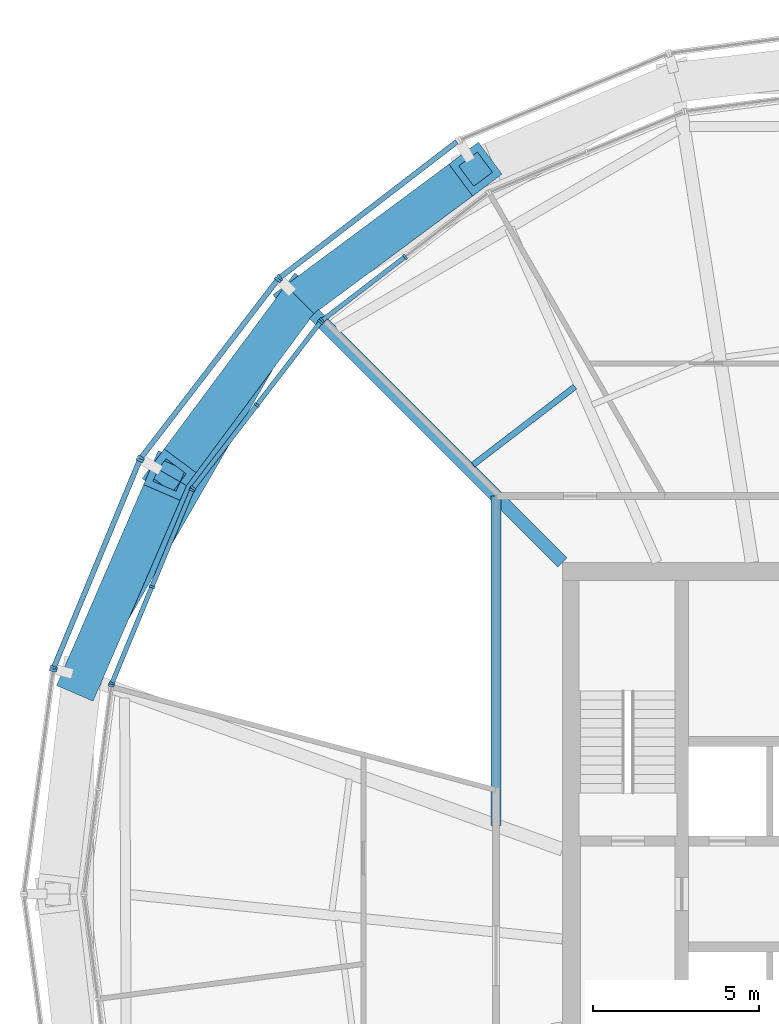
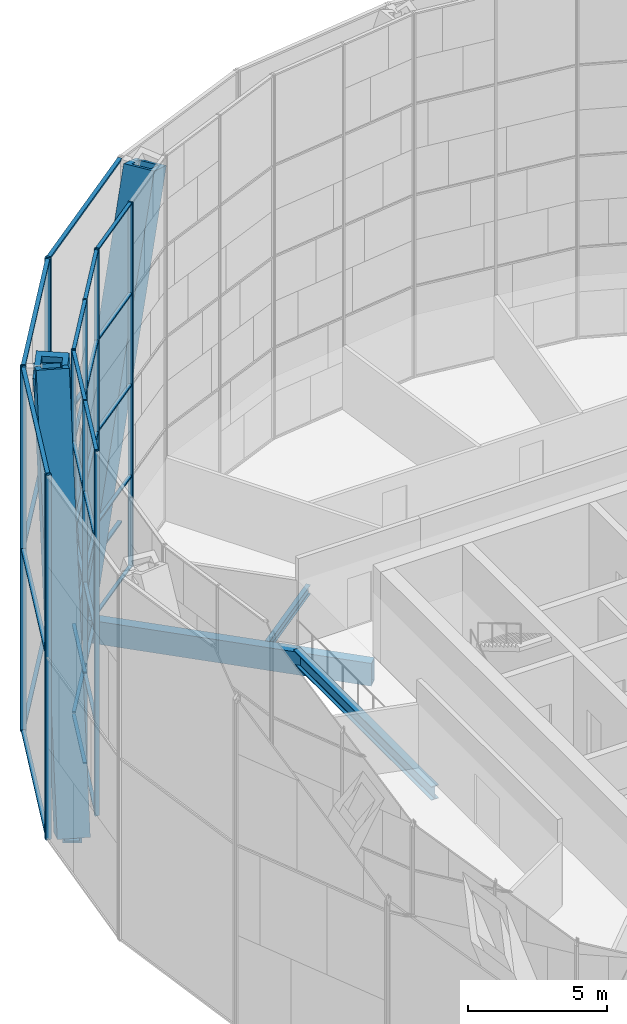
# One storey, part 8 of 28: 52 members, 4 beams, 8 elements without a shape of their own.
"""IFC4 building model written with IfcOpenShell, lengths in metres."""

from ifc_helpers import new_model, si_unit, direction, frame, origin, origin_2d, place, context, subcontext, project, spatial, rectangle, hollow_rectangle, i_section, extrude, material, material_profile, profile_set, type_object, element, aggregate, save


model = new_model("IFC4")

# Units and contexts
model_context = context("Model", 3, precision=1e-05, world=origin(), true_north=direction((0.0, 1.0)))
body_context = subcontext(model_context, "Body", "Model", "MODEL_VIEW")
ifc_project = project(units=[si_unit("LENGTHUNIT", "METRE"), si_unit("AREAUNIT", "SQUARE_METRE"), si_unit("VOLUMEUNIT", "CUBIC_METRE"), si_unit("PLANEANGLEUNIT", "RADIAN"), si_unit("MASSUNIT", "GRAM", prefix="KILO")], contexts=[model_context])

# Site, building, storey
site_placement = place(None, origin())
site = spatial("IfcSite", under=ifc_project, at=site_placement, CompositionType="ELEMENT")
building_placement = place(site_placement, origin())
building = spatial("IfcBuilding", under=site, at=building_placement, Name="Golbaran Civic Tower", CompositionType="ELEMENT")
storey_placement = place(building_placement, frame((0.0, 0.0, 134.0)))
storey = spatial("IfcBuildingStorey", under=building, at=storey_placement, Name="L32", CompositionType="ELEMENT", Elevation=134.0)

# Members
ifc_material_1 = material(Name="Steel S355", Category="steel")
ifc_material_profile_1 = material_profile(ifc_material_1, hollow_rectangle(XDim=1.199951171875, YDim=1.199951171875, WallThickness=0.219970703125, at=origin_2d()), Name="BOX 1200x1200x220")
ifc_profile_set_1 = profile_set([ifc_material_profile_1], Name="Steel S355")
member_type_1 = type_object("IfcMemberType", Name="DIAGRID DIAGONAL BOX 1200x1200x220", PredefinedType="BRACE", material=ifc_profile_set_1)
for number, where, z_axis, x_axis, name in (
    (1, (-17.91796875, 17.91796875, -0.7099609375), (-0.227361182302, -0.306265484914, 0.924396205927), (0.802932458843, -0.59607001815, 0.0), "Diagonal D07-04R L32-L36"),
    (2, (-17.91796875, 17.91796875, -0.7099609375), (0.306265484914, 0.227361182302, 0.924396205927), (-0.59607001815, 0.802932458843, 0.0), "Diagonal D07-04L L32-L36"),
    (3, (-24.4765625, 6.55859375, -0.7099609375), (0.151560578437, 0.350021010135, 0.924399634102), (-0.917665769882, 0.397353161289, 0.0), "Diagonal D07-05L L32-L36"),
):
    element("IfcMember", number, at=place(storey_placement, frame(where, z_axis=z_axis, x_axis=x_axis)), inside=storey, type_object=member_type_1, Name=name, PredefinedType="BRACE", context=body_context, shape_type="SweptSolid", body=[
        extrude(hollow_rectangle(XDim=1.199951171875, YDim=1.199951171875, WallThickness=0.219970703125, at=origin_2d()), origin(), (0.0, 0.0, 1.0), 17.30859375),
    ])

# Beams
ifc_material_profile_2 = material_profile(ifc_material_1, hollow_rectangle(XDim=0.699951171875, YDim=0.699951171875, WallThickness=0.080078125, at=origin_2d()), Name="BOX 700x700x80")
ifc_profile_set_2 = profile_set([ifc_material_profile_2], Name="Steel S355")
beam_type_1 = type_object("IfcBeamType", Name="DIAGRID RING TIE BOX 700x700x80", PredefinedType="BEAM", material=ifc_profile_set_2)
beam_1_placement = place(storey_placement, frame((-17.91796875, 17.91796875, -0.7099609375), z_axis=(-0.500014611105, -0.866016967894, 0.0), x_axis=(0.866016967894, -0.500014611105, 0.0)))
element("IfcBeam", 4, at=beam_1_placement, inside=storey, type_object=beam_type_1, Name="Ring tie 135.00 L32", PredefinedType="BEAM", context=body_context, shape_type="SweptSolid", body=[
    extrude(hollow_rectangle(XDim=0.699951171875, YDim=0.699951171875, WallThickness=0.080078125, at=origin_2d()), origin(), (0.0, 0.0, 1.0), 13.11669921875),
])
ifc_material_profile_3 = material_profile(ifc_material_1, i_section(OverallWidth=0.179931640625, OverallDepth=0.39990234375, WebThickness=0.008544921875, FlangeThickness=0.013427734375, FilletRadius=0.02099609375, at=origin_2d()), Name="IPE 400")
ifc_profile_set_3 = profile_set([ifc_material_profile_3], Name="Steel S355")
beam_type_2 = type_object("IfcBeamType", Name="FLOOR INFILL BEAM IPE 400", PredefinedType="BEAM", material=ifc_profile_set_3)
beam_2_placement = place(storey_placement, frame((-9.622314453125, 15.294189453125, -0.39990234375), z_axis=(-0.793370357991, -0.608739250469, 0.0), x_axis=(0.608739250469, -0.793370357991, 0.0)))
element("IfcBeam", 5, at=beam_2_placement, inside=storey, type_object=beam_type_2, Name="Infill beam 127.50 L32", PredefinedType="BEAM", context=body_context, shape_type="SweptSolid", body=[
    extrude(i_section(OverallWidth=0.179931640625, OverallDepth=0.39990234375, WebThickness=0.008544921875, FlangeThickness=0.013427734375, FilletRadius=0.02099609375, at=origin_2d()), origin(), (0.0, 0.0, 1.0), 3.86376953125),
])
ifc_material_profile_4 = material_profile(ifc_material_1, i_section(OverallWidth=0.300048828125, OverallDepth=0.60009765625, WebThickness=0.015380859375, FlangeThickness=0.030029296875, FilletRadius=0.027099609375, at=origin_2d()), Name="HEB 600")
ifc_profile_set_4 = profile_set([ifc_material_profile_4], Name="Steel S355")
beam_type_3 = type_object("IfcBeamType", Name="GARDEN CHORD TRIMMER HEB 600", PredefinedType="BEAM", material=ifc_profile_set_4)
beam_3_placement = place(storey_placement, frame((-12.0, 12.0, -0.5), z_axis=(0.0, -1.0, 0.0), x_axis=(1.0, 0.0, 0.0)))
element("IfcBeam", 6, at=beam_3_placement, inside=storey, type_object=beam_type_3, Name="Garden void trimmer L32", PredefinedType="BEAM", context=body_context, shape_type="SweptSolid", body=[
    extrude(i_section(OverallWidth=0.300048828125, OverallDepth=0.60009765625, WebThickness=0.015380859375, FlangeThickness=0.030029296875, FilletRadius=0.027099609375, at=origin_2d()), origin(), (0.0, 0.0, 1.0), 9.930419921875),
])

# Curtain wall, members
ifc_material_2 = material(Name="Aluminium and glass", Category="aluminium")
curtain_wall_type_1 = type_object("IfcCurtainWallType", Name="INNER SKIN CURTAIN WALL", PredefinedType="NOTDEFINED", material=ifc_material_2)
curtain_wall_1_placement = place(storey_placement, origin())
curtain_wall_1 = element("IfcCurtainWall", 7, at=curtain_wall_1_placement, inside=storey, type_object=curtain_wall_type_1, Name="Inner skin L32 facet 9 CW1", ObjectType="INNER SKIN", PredefinedType="USERDEFINED")
ifc_material_3 = material(Name="Aluminium", Category="aluminium")
ifc_material_profile_5 = material_profile(ifc_material_3, rectangle(XDim=0.179931640625, YDim=0.06494140625, at=origin_2d()), Name="INNER SKIN CURTAIN WALL MULLION")
ifc_profile_set_5 = profile_set([ifc_material_profile_5], Name="Aluminium")
member_type_2 = type_object("IfcMemberType", Name="INNER SKIN CURTAIN WALL MULLION", PredefinedType="MULLION", material=ifc_profile_set_5)
member_1_placement = place(storey_placement, frame((-14.74169921875, 19.2119140625, 0.0), z_axis=(0.0, 0.0, 1.0), x_axis=(0.60876142905, -0.793353340259, 0.0)))
member_1 = element("IfcMember", 8, at=member_1_placement, type_object=member_type_2, Name="CW1 mullion 2", PredefinedType="MULLION", context=body_context, shape_type="SweptSolid", body=[
    extrude(rectangle(XDim=0.179931640625, YDim=0.06494140625, at=origin_2d()), origin(), (0.0, 0.0, 1.0), 16.0),
])
member_2_placement = place(storey_placement, frame((-17.245361328125, 17.290771484375, 0.0), z_axis=(0.0, 0.0, 1.0), x_axis=(0.60876142905, -0.793353340259, 0.0)))
member_2 = element("IfcMember", 9, at=member_2_placement, type_object=member_type_2, Name="CW1 mullion 3", PredefinedType="MULLION", context=body_context, shape_type="SweptSolid", body=[
    extrude(rectangle(XDim=0.179931640625, YDim=0.06494140625, at=origin_2d()), origin(), (0.0, 0.0, 1.0), 16.0),
])

curtain_wall_2_placement = place(storey_placement, origin())
curtain_wall_2 = element("IfcCurtainWall", 10, at=curtain_wall_2_placement, inside=storey, type_object=curtain_wall_type_1, Name="Inner skin L32 facet 10 CW1", ObjectType="INNER SKIN", PredefinedType="USERDEFINED")
member_3_placement = place(storey_placement, frame((-17.290771484375, 17.245361328125, 0.0), z_axis=(0.0, 0.0, 1.0), x_axis=(0.793353340259, -0.60876142905, 0.0)))
member_3 = element("IfcMember", 11, at=member_3_placement, type_object=member_type_2, Name="CW1 mullion 1", PredefinedType="MULLION", context=body_context, shape_type="SweptSolid", body=[
    extrude(rectangle(XDim=0.179931640625, YDim=0.06494140625, at=origin_2d()), origin(), (0.0, 0.0, 1.0), 16.0),
])
member_4_placement = place(storey_placement, frame((-19.2119140625, 14.74169921875, 0.0), z_axis=(0.0, 0.0, 1.0), x_axis=(0.793353340259, -0.60876142905, 0.0)))
member_4 = element("IfcMember", 12, at=member_4_placement, type_object=member_type_2, Name="CW1 mullion 2", PredefinedType="MULLION", context=body_context, shape_type="SweptSolid", body=[
    extrude(rectangle(XDim=0.179931640625, YDim=0.06494140625, at=origin_2d()), origin(), (0.0, 0.0, 1.0), 16.0),
])
member_5_placement = place(storey_placement, frame((-21.1328125, 12.23828125, 0.0), z_axis=(0.0, 0.0, 1.0), x_axis=(0.793353340259, -0.60876142905, 0.0)))
member_5 = element("IfcMember", 13, at=member_5_placement, type_object=member_type_2, Name="CW1 mullion 3", PredefinedType="MULLION", context=body_context, shape_type="SweptSolid", body=[
    extrude(rectangle(XDim=0.179931640625, YDim=0.06494140625, at=origin_2d()), origin(), (0.0, 0.0, 1.0), 16.0),
])

curtain_wall_3_placement = place(storey_placement, origin())
curtain_wall_3 = element("IfcCurtainWall", 14, at=curtain_wall_3_placement, inside=storey, type_object=curtain_wall_type_1, Name="Inner skin L32 facet 11 CW1", ObjectType="INNER SKIN", PredefinedType="USERDEFINED")
member_6_placement = place(storey_placement, frame((-21.1650390625, 12.182373046875, 0.0), z_axis=(0.0, 0.0, 1.0), x_axis=(0.923879532485, -0.38268343243, 0.0)))
member_6 = element("IfcMember", 15, at=member_6_placement, type_object=member_type_2, Name="CW1 mullion 1", PredefinedType="MULLION", context=body_context, shape_type="SweptSolid", body=[
    extrude(rectangle(XDim=0.179931640625, YDim=0.06494140625, at=origin_2d()), origin(), (0.0, 0.0, 1.0), 16.0),
])
member_7_placement = place(storey_placement, frame((-22.372802734375, 9.26708984375, 0.0), z_axis=(0.0, 0.0, 1.0), x_axis=(0.923879532485, -0.38268343243, 0.0)))
member_7 = element("IfcMember", 16, at=member_7_placement, type_object=member_type_2, Name="CW1 mullion 2", PredefinedType="MULLION", context=body_context, shape_type="SweptSolid", body=[
    extrude(rectangle(XDim=0.179931640625, YDim=0.06494140625, at=origin_2d()), origin(), (0.0, 0.0, 1.0), 16.0),
])
member_8_placement = place(storey_placement, frame((-23.580322265625, 6.3515625, 0.0), z_axis=(0.0, 0.0, 1.0), x_axis=(0.923879532485, -0.38268343243, 0.0)))
member_8 = element("IfcMember", 17, at=member_8_placement, type_object=member_type_2, Name="CW1 mullion 3", PredefinedType="MULLION", context=body_context, shape_type="SweptSolid", body=[
    extrude(rectangle(XDim=0.179931640625, YDim=0.06494140625, at=origin_2d()), origin(), (0.0, 0.0, 1.0), 16.0),
])

# Curtain wall, member
curtain_wall_4_placement = place(storey_placement, origin())
curtain_wall_4 = element("IfcCurtainWall", 18, at=curtain_wall_4_placement, inside=storey, type_object=curtain_wall_type_1, Name="Inner skin L32 facet 12 CW1", ObjectType="INNER SKIN", PredefinedType="USERDEFINED")
member_9_placement = place(storey_placement, frame((-23.596923828125, 6.28955078125, 0.0), z_axis=(0.0, 0.0, 1.0), x_axis=(0.991444861372, -0.130526192237, 0.0)))
member_9 = element("IfcMember", 19, at=member_9_placement, type_object=member_type_2, Name="CW1 mullion 1", PredefinedType="MULLION", context=body_context, shape_type="SweptSolid", body=[
    extrude(rectangle(XDim=0.179931640625, YDim=0.06494140625, at=origin_2d()), origin(), (0.0, 0.0, 1.0), 16.0),
])
aggregate(curtain_wall_4, [member_9])

# Member
ifc_material_profile_6 = material_profile(ifc_material_3, rectangle(XDim=0.139892578125, YDim=0.06494140625, at=origin_2d()), Name="INNER SKIN CURTAIN WALL TRANSOM")
ifc_profile_set_6 = profile_set([ifc_material_profile_6], Name="Aluminium")
member_type_3 = type_object("IfcMemberType", Name="INNER SKIN CURTAIN WALL TRANSOM", PredefinedType="USERDEFINED", material=ifc_profile_set_6)
member_10_placement = place(storey_placement, frame((-14.767578125, 19.192138671875, 0.032470703125), z_axis=(-0.793325296464, -0.608797974693, 0.0), x_axis=(0.608797974693, -0.793325296464, 0.0)))
member_10 = element("IfcMember", 20, at=member_10_placement, type_object=member_type_3, Name="CW1 transom 2.1", ObjectType="TRANSOM", PredefinedType="USERDEFINED", context=body_context, shape_type="SweptSolid", body=[
    extrude(rectangle(XDim=0.139892578125, YDim=0.06494140625, at=origin_2d()), origin(), (0.0, 0.0, 1.0), 3.090576171875),
])

member_11_placement = place(storey_placement, frame((-14.767578125, 19.192138671875, 4.0), z_axis=(-0.793325296464, -0.608797974693, 0.0), x_axis=(0.608797974693, -0.793325296464, 0.0)))
member_11 = element("IfcMember", 21, at=member_11_placement, type_object=member_type_3, Name="CW1 transom 2.2", ObjectType="TRANSOM", PredefinedType="USERDEFINED", context=body_context, shape_type="SweptSolid", body=[
    extrude(rectangle(XDim=0.139892578125, YDim=0.06494140625, at=origin_2d()), origin(), (0.0, 0.0, 1.0), 3.090576171875),
])

member_12_placement = place(storey_placement, frame((-14.767578125, 19.192138671875, 8.0), z_axis=(-0.793325296464, -0.608797974693, 0.0), x_axis=(0.608797974693, -0.793325296464, 0.0)))
member_12 = element("IfcMember", 22, at=member_12_placement, type_object=member_type_3, Name="CW1 transom 2.3", ObjectType="TRANSOM", PredefinedType="USERDEFINED", context=body_context, shape_type="SweptSolid", body=[
    extrude(rectangle(XDim=0.139892578125, YDim=0.06494140625, at=origin_2d()), origin(), (0.0, 0.0, 1.0), 3.090576171875),
])

member_13_placement = place(storey_placement, frame((-14.767578125, 19.192138671875, 12.0), z_axis=(-0.793325296464, -0.608797974693, 0.0), x_axis=(0.608797974693, -0.793325296464, 0.0)))
member_13 = element("IfcMember", 23, at=member_13_placement, type_object=member_type_3, Name="CW1 transom 2.4", ObjectType="TRANSOM", PredefinedType="USERDEFINED", context=body_context, shape_type="SweptSolid", body=[
    extrude(rectangle(XDim=0.139892578125, YDim=0.06494140625, at=origin_2d()), origin(), (0.0, 0.0, 1.0), 3.090576171875),
])

member_14_placement = place(storey_placement, frame((-14.767578125, 19.192138671875, 15.967529296875), z_axis=(-0.793325296464, -0.608797974693, 0.0), x_axis=(0.608797974693, -0.793325296464, 0.0)))
member_14 = element("IfcMember", 24, at=member_14_placement, type_object=member_type_3, Name="CW1 transom 2.5", ObjectType="TRANSOM", PredefinedType="USERDEFINED", context=body_context, shape_type="SweptSolid", body=[
    extrude(rectangle(XDim=0.139892578125, YDim=0.06494140625, at=origin_2d()), origin(), (0.0, 0.0, 1.0), 3.090576171875),
])

aggregate(curtain_wall_1, [member_1, member_2, member_10, member_11, member_12, member_13, member_14])

member_15_placement = place(storey_placement, frame((-17.310546875, 17.219482421875, 0.032470703125), z_axis=(-0.608797974693, -0.793325296464, 0.0), x_axis=(0.793325296464, -0.608797974693, 0.0)))
member_15 = element("IfcMember", 25, at=member_15_placement, type_object=member_type_3, Name="CW1 transom 1.1", ObjectType="TRANSOM", PredefinedType="USERDEFINED", context=body_context, shape_type="SweptSolid", body=[
    extrude(rectangle(XDim=0.139892578125, YDim=0.06494140625, at=origin_2d()), origin(), (0.0, 0.0, 1.0), 3.090576171875),
])

member_16_placement = place(storey_placement, frame((-17.310546875, 17.219482421875, 4.0), z_axis=(-0.608797974693, -0.793325296464, 0.0), x_axis=(0.793325296464, -0.608797974693, 0.0)))
member_16 = element("IfcMember", 26, at=member_16_placement, type_object=member_type_3, Name="CW1 transom 1.2", ObjectType="TRANSOM", PredefinedType="USERDEFINED", context=body_context, shape_type="SweptSolid", body=[
    extrude(rectangle(XDim=0.139892578125, YDim=0.06494140625, at=origin_2d()), origin(), (0.0, 0.0, 1.0), 3.090576171875),
])

member_17_placement = place(storey_placement, frame((-17.310546875, 17.219482421875, 8.0), z_axis=(-0.608797974693, -0.793325296464, 0.0), x_axis=(0.793325296464, -0.608797974693, 0.0)))
member_17 = element("IfcMember", 27, at=member_17_placement, type_object=member_type_3, Name="CW1 transom 1.3", ObjectType="TRANSOM", PredefinedType="USERDEFINED", context=body_context, shape_type="SweptSolid", body=[
    extrude(rectangle(XDim=0.139892578125, YDim=0.06494140625, at=origin_2d()), origin(), (0.0, 0.0, 1.0), 3.090576171875),
])

member_18_placement = place(storey_placement, frame((-17.310546875, 17.219482421875, 12.0), z_axis=(-0.608797974693, -0.793325296464, 0.0), x_axis=(0.793325296464, -0.608797974693, 0.0)))
member_18 = element("IfcMember", 28, at=member_18_placement, type_object=member_type_3, Name="CW1 transom 1.4", ObjectType="TRANSOM", PredefinedType="USERDEFINED", context=body_context, shape_type="SweptSolid", body=[
    extrude(rectangle(XDim=0.139892578125, YDim=0.06494140625, at=origin_2d()), origin(), (0.0, 0.0, 1.0), 3.090576171875),
])

member_19_placement = place(storey_placement, frame((-17.310546875, 17.219482421875, 15.967529296875), z_axis=(-0.608797974693, -0.793325296464, 0.0), x_axis=(0.793325296464, -0.608797974693, 0.0)))
member_19 = element("IfcMember", 29, at=member_19_placement, type_object=member_type_3, Name="CW1 transom 1.5", ObjectType="TRANSOM", PredefinedType="USERDEFINED", context=body_context, shape_type="SweptSolid", body=[
    extrude(rectangle(XDim=0.139892578125, YDim=0.06494140625, at=origin_2d()), origin(), (0.0, 0.0, 1.0), 3.090576171875),
])

member_20_placement = place(storey_placement, frame((-19.231689453125, 14.716064453125, 0.032470703125), z_axis=(-0.608748255763, -0.793363448304, 0.0), x_axis=(0.793363448304, -0.608748255763, 0.0)))
member_20 = element("IfcMember", 30, at=member_20_placement, type_object=member_type_3, Name="CW1 transom 2.1", ObjectType="TRANSOM", PredefinedType="USERDEFINED", context=body_context, shape_type="SweptSolid", body=[
    extrude(rectangle(XDim=0.139892578125, YDim=0.06494140625, at=origin_2d()), origin(), (0.0, 0.0, 1.0), 3.090576171875),
])

member_21_placement = place(storey_placement, frame((-19.231689453125, 14.716064453125, 4.0), z_axis=(-0.608748255763, -0.793363448304, 0.0), x_axis=(0.793363448304, -0.608748255763, 0.0)))
member_21 = element("IfcMember", 31, at=member_21_placement, type_object=member_type_3, Name="CW1 transom 2.2", ObjectType="TRANSOM", PredefinedType="USERDEFINED", context=body_context, shape_type="SweptSolid", body=[
    extrude(rectangle(XDim=0.139892578125, YDim=0.06494140625, at=origin_2d()), origin(), (0.0, 0.0, 1.0), 3.090576171875),
])

member_22_placement = place(storey_placement, frame((-19.231689453125, 14.716064453125, 8.0), z_axis=(-0.608748255763, -0.793363448304, 0.0), x_axis=(0.793363448304, -0.608748255763, 0.0)))
member_22 = element("IfcMember", 32, at=member_22_placement, type_object=member_type_3, Name="CW1 transom 2.3", ObjectType="TRANSOM", PredefinedType="USERDEFINED", context=body_context, shape_type="SweptSolid", body=[
    extrude(rectangle(XDim=0.139892578125, YDim=0.06494140625, at=origin_2d()), origin(), (0.0, 0.0, 1.0), 3.090576171875),
])

member_23_placement = place(storey_placement, frame((-19.231689453125, 14.716064453125, 12.0), z_axis=(-0.608748255763, -0.793363448304, 0.0), x_axis=(0.793363448304, -0.608748255763, 0.0)))
member_23 = element("IfcMember", 33, at=member_23_placement, type_object=member_type_3, Name="CW1 transom 2.4", ObjectType="TRANSOM", PredefinedType="USERDEFINED", context=body_context, shape_type="SweptSolid", body=[
    extrude(rectangle(XDim=0.139892578125, YDim=0.06494140625, at=origin_2d()), origin(), (0.0, 0.0, 1.0), 3.090576171875),
])

member_24_placement = place(storey_placement, frame((-19.231689453125, 14.716064453125, 15.967529296875), z_axis=(-0.608748255763, -0.793363448304, 0.0), x_axis=(0.793363448304, -0.608748255763, 0.0)))
member_24 = element("IfcMember", 34, at=member_24_placement, type_object=member_type_3, Name="CW1 transom 2.5", ObjectType="TRANSOM", PredefinedType="USERDEFINED", context=body_context, shape_type="SweptSolid", body=[
    extrude(rectangle(XDim=0.139892578125, YDim=0.06494140625, at=origin_2d()), origin(), (0.0, 0.0, 1.0), 3.090576171875),
])

aggregate(curtain_wall_2, [member_3, member_4, member_5, member_15, member_16, member_17, member_18, member_19, member_20, member_21, member_22, member_23, member_24])

member_25_placement = place(storey_placement, frame((-21.177490234375, 12.15234375, 0.032470703125), z_axis=(-0.382735511786, -0.923857958789, 0.0), x_axis=(0.923857958789, -0.382735511786, 0.0)))
member_25 = element("IfcMember", 35, at=member_25_placement, type_object=member_type_3, Name="CW1 transom 1.1", ObjectType="TRANSOM", PredefinedType="USERDEFINED", context=body_context, shape_type="SweptSolid", body=[
    extrude(rectangle(XDim=0.139892578125, YDim=0.06494140625, at=origin_2d()), origin(), (0.0, 0.0, 1.0), 3.090576171875),
])

member_26_placement = place(storey_placement, frame((-21.177490234375, 12.15234375, 4.0), z_axis=(-0.382735511786, -0.923857958789, 0.0), x_axis=(0.923857958789, -0.382735511786, 0.0)))
member_26 = element("IfcMember", 36, at=member_26_placement, type_object=member_type_3, Name="CW1 transom 1.2", ObjectType="TRANSOM", PredefinedType="USERDEFINED", context=body_context, shape_type="SweptSolid", body=[
    extrude(rectangle(XDim=0.139892578125, YDim=0.06494140625, at=origin_2d()), origin(), (0.0, 0.0, 1.0), 3.090576171875),
])

member_27_placement = place(storey_placement, frame((-21.177490234375, 12.15234375, 8.0), z_axis=(-0.382735511786, -0.923857958789, 0.0), x_axis=(0.923857958789, -0.382735511786, 0.0)))
member_27 = element("IfcMember", 37, at=member_27_placement, type_object=member_type_3, Name="CW1 transom 1.3", ObjectType="TRANSOM", PredefinedType="USERDEFINED", context=body_context, shape_type="SweptSolid", body=[
    extrude(rectangle(XDim=0.139892578125, YDim=0.06494140625, at=origin_2d()), origin(), (0.0, 0.0, 1.0), 3.090576171875),
])

member_28_placement = place(storey_placement, frame((-21.177490234375, 12.15234375, 12.0), z_axis=(-0.382735511786, -0.923857958789, 0.0), x_axis=(0.923857958789, -0.382735511786, 0.0)))
member_28 = element("IfcMember", 38, at=member_28_placement, type_object=member_type_3, Name="CW1 transom 1.4", ObjectType="TRANSOM", PredefinedType="USERDEFINED", context=body_context, shape_type="SweptSolid", body=[
    extrude(rectangle(XDim=0.139892578125, YDim=0.06494140625, at=origin_2d()), origin(), (0.0, 0.0, 1.0), 3.090576171875),
])

member_29_placement = place(storey_placement, frame((-21.177490234375, 12.15234375, 15.967529296875), z_axis=(-0.382735511786, -0.923857958789, 0.0), x_axis=(0.923857958789, -0.382735511786, 0.0)))
member_29 = element("IfcMember", 39, at=member_29_placement, type_object=member_type_3, Name="CW1 transom 1.5", ObjectType="TRANSOM", PredefinedType="USERDEFINED", context=body_context, shape_type="SweptSolid", body=[
    extrude(rectangle(XDim=0.139892578125, YDim=0.06494140625, at=origin_2d()), origin(), (0.0, 0.0, 1.0), 3.090576171875),
])

member_30_placement = place(storey_placement, frame((-22.38525390625, 9.237060546875, 0.032470703125), z_axis=(-0.382640157244, -0.923897456466, 0.0), x_axis=(0.923897456466, -0.382640157244, 0.0)))
member_30 = element("IfcMember", 40, at=member_30_placement, type_object=member_type_3, Name="CW1 transom 2.1", ObjectType="TRANSOM", PredefinedType="USERDEFINED", context=body_context, shape_type="SweptSolid", body=[
    extrude(rectangle(XDim=0.139892578125, YDim=0.06494140625, at=origin_2d()), origin(), (0.0, 0.0, 1.0), 3.090576171875),
])

member_31_placement = place(storey_placement, frame((-22.38525390625, 9.237060546875, 4.0), z_axis=(-0.382640157244, -0.923897456466, 0.0), x_axis=(0.923897456466, -0.382640157244, 0.0)))
member_31 = element("IfcMember", 41, at=member_31_placement, type_object=member_type_3, Name="CW1 transom 2.2", ObjectType="TRANSOM", PredefinedType="USERDEFINED", context=body_context, shape_type="SweptSolid", body=[
    extrude(rectangle(XDim=0.139892578125, YDim=0.06494140625, at=origin_2d()), origin(), (0.0, 0.0, 1.0), 3.090576171875),
])

member_32_placement = place(storey_placement, frame((-22.38525390625, 9.237060546875, 8.0), z_axis=(-0.382640157244, -0.923897456466, 0.0), x_axis=(0.923897456466, -0.382640157244, 0.0)))
member_32 = element("IfcMember", 42, at=member_32_placement, type_object=member_type_3, Name="CW1 transom 2.3", ObjectType="TRANSOM", PredefinedType="USERDEFINED", context=body_context, shape_type="SweptSolid", body=[
    extrude(rectangle(XDim=0.139892578125, YDim=0.06494140625, at=origin_2d()), origin(), (0.0, 0.0, 1.0), 3.090576171875),
])

member_33_placement = place(storey_placement, frame((-22.38525390625, 9.237060546875, 12.0), z_axis=(-0.382640157244, -0.923897456466, 0.0), x_axis=(0.923897456466, -0.382640157244, 0.0)))
member_33 = element("IfcMember", 43, at=member_33_placement, type_object=member_type_3, Name="CW1 transom 2.4", ObjectType="TRANSOM", PredefinedType="USERDEFINED", context=body_context, shape_type="SweptSolid", body=[
    extrude(rectangle(XDim=0.139892578125, YDim=0.06494140625, at=origin_2d()), origin(), (0.0, 0.0, 1.0), 3.090576171875),
])

member_34_placement = place(storey_placement, frame((-22.38525390625, 9.237060546875, 15.967529296875), z_axis=(-0.382640157244, -0.923897456466, 0.0), x_axis=(0.923897456466, -0.382640157244, 0.0)))
member_34 = element("IfcMember", 44, at=member_34_placement, type_object=member_type_3, Name="CW1 transom 2.5", ObjectType="TRANSOM", PredefinedType="USERDEFINED", context=body_context, shape_type="SweptSolid", body=[
    extrude(rectangle(XDim=0.139892578125, YDim=0.06494140625, at=origin_2d()), origin(), (0.0, 0.0, 1.0), 3.090576171875),
])

aggregate(curtain_wall_3, [member_6, member_7, member_8, member_25, member_26, member_27, member_28, member_29, member_30, member_31, member_32, member_33, member_34])

# Curtain wall, member
curtain_wall_type_2 = type_object("IfcCurtainWallType", Name="OUTER SKIN TERRACOTTA SCREEN", PredefinedType="NOTDEFINED", material=ifc_material_2)
curtain_wall_5_placement = place(storey_placement, origin())
curtain_wall_5 = element("IfcCurtainWall", 45, at=curtain_wall_5_placement, inside=storey, type_object=curtain_wall_type_2, Name="Outer skin L32 facet 9 CW3", ObjectType="OUTER SKIN", PredefinedType="USERDEFINED")
ifc_material_profile_7 = material_profile(ifc_material_3, rectangle(XDim=0.219970703125, YDim=0.080078125, at=origin_2d()), Name="OUTER SKIN TERRACOTTA SCREEN MULLION")
ifc_profile_set_7 = profile_set([ifc_material_profile_7], Name="Aluminium")
member_type_4 = type_object("IfcMemberType", Name="OUTER SKIN TERRACOTTA SCREEN MULLION", PredefinedType="MULLION", material=ifc_profile_set_7)
member_35_placement = place(storey_placement, frame((-18.522705078125, 18.578857421875, -0.7099609375), z_axis=(0.0, 0.0, 1.0), x_axis=(0.608761429036, -0.79335334027, 0.0)))
member_35 = element("IfcMember", 46, at=member_35_placement, type_object=member_type_4, Name="CW3 mullion 2", PredefinedType="MULLION", context=body_context, shape_type="SweptSolid", body=[
    extrude(rectangle(XDim=0.219970703125, YDim=0.080078125, at=origin_2d()), origin(), (0.0, 0.0, 1.0), 16.0),
])

# Curtain wall, members
curtain_wall_6_placement = place(storey_placement, origin())
curtain_wall_6 = element("IfcCurtainWall", 47, at=curtain_wall_6_placement, inside=storey, type_object=curtain_wall_type_2, Name="Outer skin L32 facet 10 CW3", ObjectType="OUTER SKIN", PredefinedType="USERDEFINED")
member_36_placement = place(storey_placement, frame((-18.578857421875, 18.522705078125, -0.7099609375), z_axis=(0.0, 0.0, 1.0), x_axis=(0.79335334027, -0.608761429036, 0.0)))
member_36 = element("IfcMember", 48, at=member_36_placement, type_object=member_type_4, Name="CW3 mullion 1", PredefinedType="MULLION", context=body_context, shape_type="SweptSolid", body=[
    extrude(rectangle(XDim=0.219970703125, YDim=0.080078125, at=origin_2d()), origin(), (0.0, 0.0, 1.0), 16.0),
])
member_37_placement = place(storey_placement, frame((-22.7001953125, 13.15185546875, -0.7099609375), z_axis=(0.0, 0.0, 1.0), x_axis=(0.79335334027, -0.608761429036, 0.0)))
member_37 = element("IfcMember", 49, at=member_37_placement, type_object=member_type_4, Name="CW3 mullion 2", PredefinedType="MULLION", context=body_context, shape_type="SweptSolid", body=[
    extrude(rectangle(XDim=0.219970703125, YDim=0.080078125, at=origin_2d()), origin(), (0.0, 0.0, 1.0), 16.0),
])

curtain_wall_7_placement = place(storey_placement, origin())
curtain_wall_7 = element("IfcCurtainWall", 50, at=curtain_wall_7_placement, inside=storey, type_object=curtain_wall_type_2, Name="Outer skin L32 facet 11 CW3", ObjectType="OUTER SKIN", PredefinedType="USERDEFINED")
member_38_placement = place(storey_placement, frame((-22.73974609375, 13.0830078125, -0.7099609375), z_axis=(0.0, 0.0, 1.0), x_axis=(0.923879532498, -0.382683432397, 0.0)))
member_38 = element("IfcMember", 51, at=member_38_placement, type_object=member_type_4, Name="CW3 mullion 1", PredefinedType="MULLION", context=body_context, shape_type="SweptSolid", body=[
    extrude(rectangle(XDim=0.219970703125, YDim=0.080078125, at=origin_2d()), origin(), (0.0, 0.0, 1.0), 16.0),
])
member_39_placement = place(storey_placement, frame((-25.33056640625, 6.828369140625, -0.7099609375), z_axis=(0.0, 0.0, 1.0), x_axis=(0.923879532498, -0.382683432397, 0.0)))
member_39 = element("IfcMember", 52, at=member_39_placement, type_object=member_type_4, Name="CW3 mullion 2", PredefinedType="MULLION", context=body_context, shape_type="SweptSolid", body=[
    extrude(rectangle(XDim=0.219970703125, YDim=0.080078125, at=origin_2d()), origin(), (0.0, 0.0, 1.0), 16.0),
])

# Curtain wall, member
curtain_wall_8_placement = place(storey_placement, origin())
curtain_wall_8 = element("IfcCurtainWall", 53, at=curtain_wall_8_placement, inside=storey, type_object=curtain_wall_type_2, Name="Outer skin L32 facet 12 CW3", ObjectType="OUTER SKIN", PredefinedType="USERDEFINED")
member_40_placement = place(storey_placement, frame((-25.35107421875, 6.751708984375, -0.7099609375), z_axis=(0.0, 0.0, 1.0), x_axis=(0.991444861376, -0.130526192203, 0.0)))
member_40 = element("IfcMember", 54, at=member_40_placement, type_object=member_type_4, Name="CW3 mullion 1", PredefinedType="MULLION", context=body_context, shape_type="SweptSolid", body=[
    extrude(rectangle(XDim=0.219970703125, YDim=0.080078125, at=origin_2d()), origin(), (0.0, 0.0, 1.0), 16.0),
])
aggregate(curtain_wall_8, [member_40])

# Member
ifc_material_profile_8 = material_profile(ifc_material_3, rectangle(XDim=0.159912109375, YDim=0.080078125, at=origin_2d()), Name="OUTER SKIN TERRACOTTA SCREEN TRANSOM")
ifc_profile_set_8 = profile_set([ifc_material_profile_8], Name="Aluminium")
member_type_5 = type_object("IfcMemberType", Name="OUTER SKIN TERRACOTTA SCREEN TRANSOM", PredefinedType="USERDEFINED", material=ifc_profile_set_8)
member_41_placement = place(storey_placement, frame((-13.183349609375, 22.67578125, -0.669921875), z_axis=(-0.793365478756, -0.608745609527, 0.0), x_axis=(0.608745609527, -0.793365478756, 0.0)))
member_41 = element("IfcMember", 55, at=member_41_placement, type_object=member_type_5, Name="CW3 transom 1.1", ObjectType="TRANSOM", PredefinedType="USERDEFINED", context=body_context, shape_type="SweptSolid", body=[
    extrude(rectangle(XDim=0.159912109375, YDim=0.080078125, at=origin_2d()), origin(), (0.0, 0.0, 1.0), 6.68994140625),
])

member_42_placement = place(storey_placement, frame((-13.183349609375, 22.67578125, 7.2900390625), z_axis=(-0.793365478756, -0.608745609527, 0.0), x_axis=(0.608745609527, -0.793365478756, 0.0)))
member_42 = element("IfcMember", 56, at=member_42_placement, type_object=member_type_5, Name="CW3 transom 1.2", ObjectType="TRANSOM", PredefinedType="USERDEFINED", context=body_context, shape_type="SweptSolid", body=[
    extrude(rectangle(XDim=0.159912109375, YDim=0.080078125, at=origin_2d()), origin(), (0.0, 0.0, 1.0), 6.68994140625),
])

member_43_placement = place(storey_placement, frame((-13.183349609375, 22.67578125, 15.25), z_axis=(-0.793365478756, -0.608745609527, 0.0), x_axis=(0.608745609527, -0.793365478756, 0.0)))
member_43 = element("IfcMember", 57, at=member_43_placement, type_object=member_type_5, Name="CW3 transom 1.3", ObjectType="TRANSOM", PredefinedType="USERDEFINED", context=body_context, shape_type="SweptSolid", body=[
    extrude(rectangle(XDim=0.159912109375, YDim=0.080078125, at=origin_2d()), origin(), (0.0, 0.0, 1.0), 6.68994140625),
])

aggregate(curtain_wall_5, [member_35, member_41, member_42, member_43])

member_44_placement = place(storey_placement, frame((-18.603271484375, 18.490966796875, -0.669921875), z_axis=(-0.608745609527, -0.793365478756, 0.0), x_axis=(0.793365478756, -0.608745609527, 0.0)))
member_44 = element("IfcMember", 58, at=member_44_placement, type_object=member_type_5, Name="CW3 transom 1.1", ObjectType="TRANSOM", PredefinedType="USERDEFINED", context=body_context, shape_type="SweptSolid", body=[
    extrude(rectangle(XDim=0.159912109375, YDim=0.080078125, at=origin_2d()), origin(), (0.0, 0.0, 1.0), 6.68994140625),
])

member_45_placement = place(storey_placement, frame((-18.603271484375, 18.490966796875, 7.2900390625), z_axis=(-0.608745609527, -0.793365478756, 0.0), x_axis=(0.793365478756, -0.608745609527, 0.0)))
member_45 = element("IfcMember", 59, at=member_45_placement, type_object=member_type_5, Name="CW3 transom 1.2", ObjectType="TRANSOM", PredefinedType="USERDEFINED", context=body_context, shape_type="SweptSolid", body=[
    extrude(rectangle(XDim=0.159912109375, YDim=0.080078125, at=origin_2d()), origin(), (0.0, 0.0, 1.0), 6.68994140625),
])

member_46_placement = place(storey_placement, frame((-18.603271484375, 18.490966796875, 15.25), z_axis=(-0.608745609527, -0.793365478756, 0.0), x_axis=(0.793365478756, -0.608745609527, 0.0)))
member_46 = element("IfcMember", 60, at=member_46_placement, type_object=member_type_5, Name="CW3 transom 1.3", ObjectType="TRANSOM", PredefinedType="USERDEFINED", context=body_context, shape_type="SweptSolid", body=[
    extrude(rectangle(XDim=0.159912109375, YDim=0.080078125, at=origin_2d()), origin(), (0.0, 0.0, 1.0), 6.68994140625),
])

aggregate(curtain_wall_6, [member_36, member_37, member_44, member_45, member_46])

member_47_placement = place(storey_placement, frame((-22.755126953125, 13.046142578125, -0.669921875), z_axis=(-0.382663348985, -0.923887851064, 0.0), x_axis=(0.923887851064, -0.382663348985, 0.0)))
member_47 = element("IfcMember", 61, at=member_47_placement, type_object=member_type_5, Name="CW3 transom 1.1", ObjectType="TRANSOM", PredefinedType="USERDEFINED", context=body_context, shape_type="SweptSolid", body=[
    extrude(rectangle(XDim=0.159912109375, YDim=0.080078125, at=origin_2d()), origin(), (0.0, 0.0, 1.0), 6.690185546875),
])

member_48_placement = place(storey_placement, frame((-22.755126953125, 13.046142578125, 7.2900390625), z_axis=(-0.382663348985, -0.923887851064, 0.0), x_axis=(0.923887851064, -0.382663348985, 0.0)))
member_48 = element("IfcMember", 62, at=member_48_placement, type_object=member_type_5, Name="CW3 transom 1.2", ObjectType="TRANSOM", PredefinedType="USERDEFINED", context=body_context, shape_type="SweptSolid", body=[
    extrude(rectangle(XDim=0.159912109375, YDim=0.080078125, at=origin_2d()), origin(), (0.0, 0.0, 1.0), 6.690185546875),
])

member_49_placement = place(storey_placement, frame((-22.755126953125, 13.046142578125, 15.25), z_axis=(-0.382663348985, -0.923887851064, 0.0), x_axis=(0.923887851064, -0.382663348985, 0.0)))
member_49 = element("IfcMember", 63, at=member_49_placement, type_object=member_type_5, Name="CW3 transom 1.3", ObjectType="TRANSOM", PredefinedType="USERDEFINED", context=body_context, shape_type="SweptSolid", body=[
    extrude(rectangle(XDim=0.159912109375, YDim=0.080078125, at=origin_2d()), origin(), (0.0, 0.0, 1.0), 6.690185546875),
])

aggregate(curtain_wall_7, [member_38, member_39, member_47, member_48, member_49])

# Beam
ifc_material_profile_9 = material_profile(ifc_material_1, hollow_rectangle(XDim=0.39990234375, YDim=1.0, WallThickness=0.0400390625, at=origin_2d()), Name="BOX 1000x400x40")
ifc_profile_set_9 = profile_set([ifc_material_profile_9], Name="Steel S355")
beam_type_4 = type_object("IfcBeamType", Name="RADIAL FLOOR BEAM BOX 1000x400x40", PredefinedType="BEAM", material=ifc_profile_set_9)
beam_4_placement = place(storey_placement, frame((-10.0, 10.0, -0.7099609375), z_axis=(-0.707106781187, 0.707106781187, 0.0), x_axis=(-0.707106781187, -0.707106781187, 0.0)))
element("IfcBeam", 64, at=beam_4_placement, inside=storey, type_object=beam_type_4, Name="Radial beam 135.00 L32", PredefinedType="BEAM", context=body_context, shape_type="SweptSolid", body=[
    extrude(hollow_rectangle(XDim=0.39990234375, YDim=1.0, WallThickness=0.0400390625, at=origin_2d()), origin(), (0.0, 0.0, 1.0), 10.59130859375),
])

save(model, "model.ifc")
